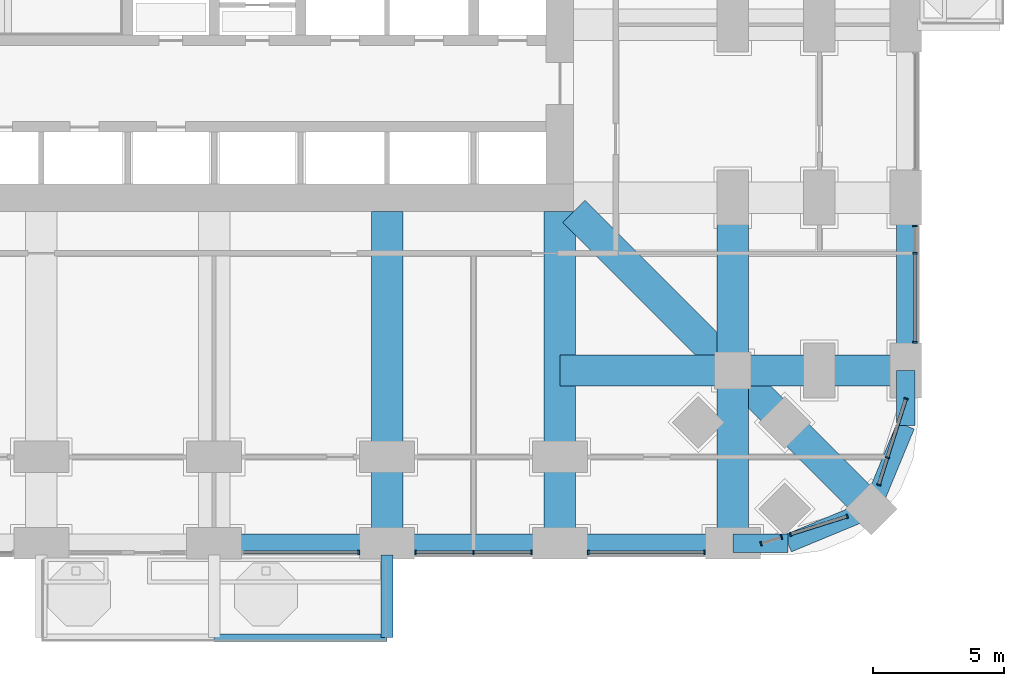
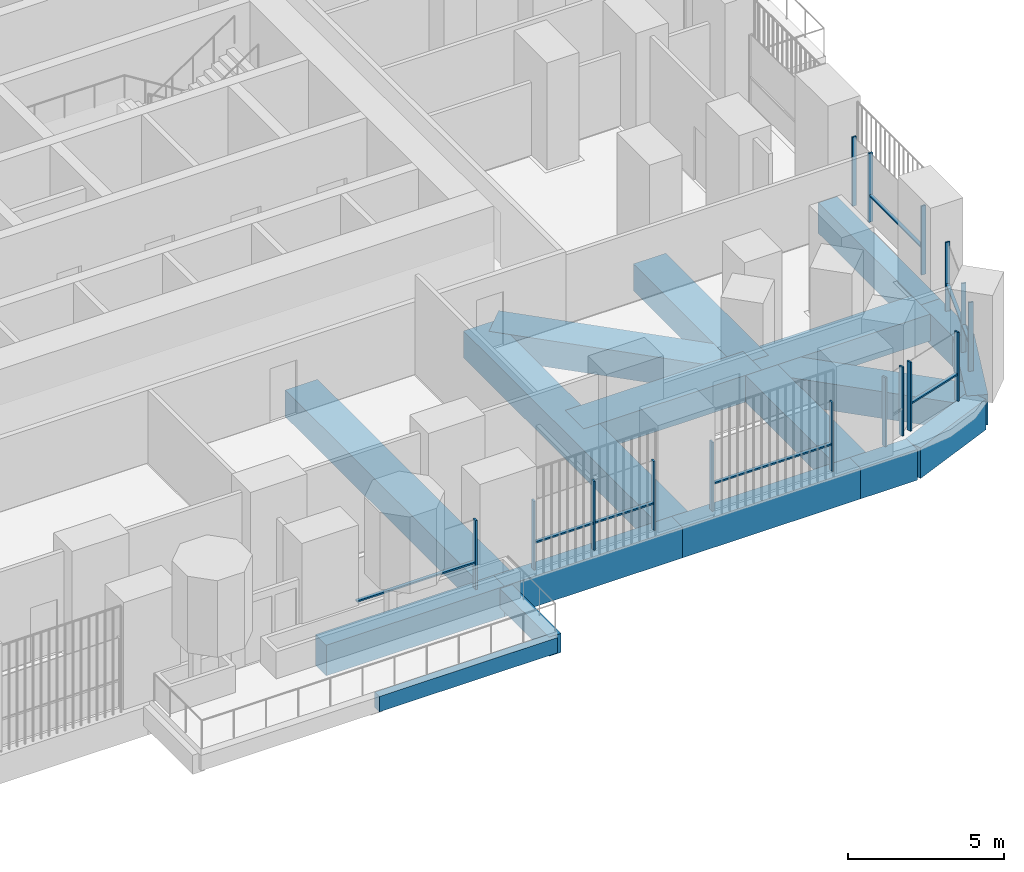
# One storey, part 4 of 26: 24 members, 18 beams, 7 elements without a shape of their own.
"""IFC4 building model written with IfcOpenShell, lengths in metres."""

import ifcopenshell
import ifcopenshell.guid

model = None  # the IFC model being written
_history = None  # IfcOwnerHistory: only IFC2X3 demands one
_inside = {}  # id of a spatial element -> (the spatial element, [elements in it])
_under = {}  # id of a project, library or spatial element -> (it, [spatial elements below it])
_declared = {}  # id of a project -> (the project, [libraries it declares])
_typed = {}  # id of a type object -> (the type object, [elements of that type])
_made_of = {}  # id of a material, layer set ... -> (it, [elements and type objects made of it])


def new_model(schema):
    """Start an empty IFC model of exactly this schema.

    Asked for "IFC4X3", IfcOpenShell would pick the latest addendum, in which some entities
    have other attributes; the version numbers below select the first issue.
    IFC2X3 requires an IfcOwnerHistory on every rooted entity: one is made here for all.
    """
    global model, _history
    if schema == "IFC4X3":
        model = ifcopenshell.file(schema_version=(4, 3, 0, 0))
    else:
        model = ifcopenshell.file(schema=schema)
    _inside.clear()
    _under.clear()
    _declared.clear()
    _typed.clear()
    _made_of.clear()
    _history = None
    if model.schema == "IFC2X3":
        org = make("IfcOrganization", Name="unknown")
        user = make(
            "IfcPersonAndOrganization",
            ThePerson=make("IfcPerson", FamilyName="unknown"),
            TheOrganization=org,
        )
        app = make(
            "IfcApplication",
            ApplicationDeveloper=org,
            Version="unknown",
            ApplicationFullName="unknown",
            ApplicationIdentifier="unknown",
        )
        _history = make(
            "IfcOwnerHistory",
            OwningUser=user,
            OwningApplication=app,
            ChangeAction="ADDED",
            CreationDate=0,
        )
    return model


def make(cls, **values):
    """One entity of the class cls with the attributes given. An attribute that is None is left unset."""
    return model.create_entity(
        cls, **{name: value for name, value in values.items() if value is not None}
    )


def rooted(cls, **values):
    """An entity with a GlobalId (a new one), such as an element, a storey or a relation."""
    return make(cls, GlobalId=ifcopenshell.guid.new(), OwnerHistory=_history, **values)


def si_unit(unit_type, name, prefix=None):
    """IfcSIUnit, for example si_unit("LENGTHUNIT", "METRE", prefix="MILLI")."""
    return make("IfcSIUnit", UnitType=unit_type, Prefix=prefix, Name=name)


def assignment(units):
    """IfcUnitAssignment: the units of a project."""
    return None if units is None else make("IfcUnitAssignment", Units=units)


def point(xyz):
    """IfcCartesianPoint."""
    return None if xyz is None else make("IfcCartesianPoint", Coordinates=xyz)


def direction(xyz):
    """IfcDirection."""
    return None if xyz is None else make("IfcDirection", DirectionRatios=xyz)


def frame(location, z_axis=None, x_axis=None):
    """IfcAxis2Placement3D, a coordinate frame: its origin and axes. An axis left out is left unset."""
    return make(
        "IfcAxis2Placement3D",
        Location=point(location),
        Axis=direction(z_axis),
        RefDirection=direction(x_axis),
    )


def frame_2d(location, x_axis=None):
    """IfcAxis2Placement2D, a coordinate frame in the plane: its origin and x axis."""
    return make(
        "IfcAxis2Placement2D", Location=point(location), RefDirection=direction(x_axis)
    )


def origin():
    """The frame at (0, 0, 0) with its axes left unset."""
    return frame((0.0, 0.0, 0.0))


def origin_2d():
    """The frame at (0, 0) in the plane with its x axis left unset."""
    return frame_2d((0.0, 0.0))


def place(relative_to, where):
    """IfcLocalPlacement: puts the frame where relative to a parent placement (None: the world)."""
    return make(
        "IfcLocalPlacement", PlacementRelTo=relative_to, RelativePlacement=where
    )


def context(
    kind, dimensions, precision=None, world=None, true_north=None, identifier=None
):
    """IfcGeometricRepresentationContext, for example the 3D "Model" context."""
    return make(
        "IfcGeometricRepresentationContext",
        ContextIdentifier=identifier,
        ContextType=kind,
        CoordinateSpaceDimension=dimensions,
        Precision=precision,
        WorldCoordinateSystem=world,
        TrueNorth=true_north,
    )


def subcontext(parent, identifier, kind, view, scale=None):
    """IfcGeometricRepresentationSubContext, for example "Body" below "Model"."""
    return make(
        "IfcGeometricRepresentationSubContext",
        ContextIdentifier=identifier,
        ContextType=kind,
        ParentContext=parent,
        TargetScale=scale,
        TargetView=view,
    )


def project(units=None, contexts=None):
    """IfcProject with its units and contexts."""
    return rooted(
        "IfcProject",
        Name="project",
        RepresentationContexts=contexts,
        UnitsInContext=assignment(units),
    )


def spatial(cls, under=None, at=None, **own):
    """A site, building, storey or space (cls), placed at a placement, below another one or the project."""
    s = rooted(cls, ObjectPlacement=at, **own)
    if under is not None:
        _under.setdefault(under.id(), (under, []))[1].append(s)
    return s


def profile(cls, at=None, kind="AREA", **sizes):
    """A parametric profile (cls). Its sizes go by their IFC names, for example OverallWidth=200.0."""
    return make(cls, ProfileType=kind, Position=at, **sizes)


def rectangle(**sizes):
    """IfcRectangleProfileDef."""
    return profile("IfcRectangleProfileDef", **sizes)


def extrude(swept, where, along, depth):
    """IfcExtrudedAreaSolid: the profile swept, set in the frame where, extruded along a direction by depth."""
    return make(
        "IfcExtrudedAreaSolid",
        SweptArea=swept,
        Position=where,
        ExtrudedDirection=direction(along),
        Depth=depth,
    )


def shape(context_of_items, identifier, shape_type, items):
    """IfcShapeRepresentation: the items that make up one representation, for example the "Body"."""
    return make(
        "IfcShapeRepresentation",
        ContextOfItems=context_of_items,
        RepresentationIdentifier=identifier,
        RepresentationType=shape_type,
        Items=items,
    )


def material(Name=None, Category=None):
    """IfcMaterial."""
    return make("IfcMaterial", Name=Name, Category=Category)


def material_profile(
    of_material, cross_section, Name=None, Category=None, Priority=None
):
    """IfcMaterialProfile: a cross section and its material."""
    return make(
        "IfcMaterialProfile",
        Name=Name,
        Material=of_material,
        Profile=cross_section,
        Priority=Priority,
        Category=Category,
    )


def profile_set(profiles, Name=None, composite=None):
    """IfcMaterialProfileSet."""
    return make(
        "IfcMaterialProfileSet",
        Name=Name,
        MaterialProfiles=profiles,
        CompositeProfile=composite,
    )


def made_of(thing, what):
    """Note that an element or type object is made of a material, layer set ...; save() writes the relation."""
    if what is not None:
        _made_of.setdefault(what.id(), (what, []))[1].append(thing)
    return thing


def type_object(cls, material=None, **own):
    """A type object (cls), such as IfcWallType, which elements share."""
    return made_of(rooted(cls, **own), material)


def element(
    cls,
    number,
    at=None,
    inside=None,
    cuts=None,
    type_object=None,
    material=None,
    context=None,
    identifier="Body",
    shape_type=None,
    held_by="IfcProductDefinitionShape",
    body=None,
    shapes=None,
    **own,
):
    """One element of the class cls, such as IfcWall. Its Tag is "e" and its number.

    at: its placement. inside: the storey or other place that contains it. cuts: it is an
    opening in that element (IfcRelVoidsElement). A single representation is given by context,
    identifier, shape_type and body (its items); several are given by shapes. held_by: the class
    of the entity that holds the representations. save() writes the other relations.
    """
    e = rooted(cls, Tag="e%d" % number, ObjectPlacement=at, **own)
    if body is not None:
        shapes = [shape(context, identifier, shape_type, body)]
    if shapes is not None:
        e.Representation = make(held_by, Representations=shapes)
    if inside is not None:
        _inside.setdefault(inside.id(), (inside, []))[1].append(e)
    if cuts is not None:
        rooted(
            "IfcRelVoidsElement", RelatingBuildingElement=cuts, RelatedOpeningElement=e
        )
    if type_object is not None:
        _typed.setdefault(type_object.id(), (type_object, []))[1].append(e)
    return made_of(e, material)


def aggregate(whole, parts):
    """IfcRelAggregates: a whole, such as a stair, and the parts it consists of."""
    return rooted("IfcRelAggregates", RelatingObject=whole, RelatedObjects=parts)


def save(model, path):
    """Write the relations noted so far, then the file.

    IfcRelAggregates (storeys below a building ...), IfcRelContainedInSpatialStructure (elements
    in a storey), IfcRelDefinesByType, IfcRelAssociatesMaterial and IfcRelDeclares: one each for
    every whole, place, type object, material and project.
    """
    for whole, parts in _under.values():
        aggregate(whole, parts)
    for where, things in _inside.values():
        rooted(
            "IfcRelContainedInSpatialStructure",
            RelatedElements=things,
            RelatingStructure=where,
        )
    for kind, things in _typed.values():
        rooted("IfcRelDefinesByType", RelatedObjects=things, RelatingType=kind)
    for what, things in _made_of.values():
        rooted("IfcRelAssociatesMaterial", RelatedObjects=things, RelatingMaterial=what)
    for by, libraries in _declared.values():
        rooted("IfcRelDeclares", RelatingContext=by, RelatedDefinitions=libraries)
    model.write(path)


model = new_model("IFC4")

# Units and contexts
model_context = context("Model", 3, precision=1e-05, world=origin(), true_north=direction((0.0, 1.0)))
body_context = subcontext(model_context, "Body", "Model", "MODEL_VIEW")
ifc_project = project(units=[si_unit("LENGTHUNIT", "METRE"), si_unit("AREAUNIT", "SQUARE_METRE"), si_unit("VOLUMEUNIT", "CUBIC_METRE"), si_unit("PLANEANGLEUNIT", "RADIAN"), si_unit("MASSUNIT", "GRAM", prefix="KILO")], contexts=[model_context])

# Site, building, storey
site_placement = place(None, origin())
site = spatial("IfcSite", under=ifc_project, at=site_placement, CompositionType="ELEMENT")
building_placement = place(site_placement, origin())
building = spatial("IfcBuilding", under=site, at=building_placement, Name="Cobogo Forest Laboratory Tower", CompositionType="ELEMENT")
storey_placement = place(building_placement, frame((0.0, 0.0, 25.5)))
storey = spatial("IfcBuildingStorey", under=building, at=storey_placement, Name="L05", CompositionType="ELEMENT", Elevation=25.5)

# Beams
ifc_material_1 = material(Name="Concrete HA-40 (C40/50)", Category="concrete")
ifc_material_profile_1 = material_profile(ifc_material_1, rectangle(XDim=0.449951171875, YDim=0.75, at=origin_2d()), Name="RC 450x750")
ifc_profile_set_1 = profile_set([ifc_material_profile_1], Name="Concrete HA-40 (C40/50)")
beam_type_1 = type_object("IfcBeamType", Name="Balcony cantilever beam 450x750", PredefinedType="BEAM", material=ifc_profile_set_1)
beam_1_placement = place(storey_placement, frame((33.0, -0.449951171875, -0.625), z_axis=(0.0, -1.0, 0.0), x_axis=(1.0, 0.0, 0.0)))
element("IfcBeam", 1, at=beam_1_placement, inside=storey, type_object=beam_type_1, Name="CB1 BAL-S1-C3 L05", PredefinedType="BEAM", context=body_context, shape_type="SweptSolid", body=[
    extrude(rectangle(XDim=0.449951171875, YDim=0.75, at=origin_2d()), origin(), (0.0, 0.0, 1.0), 3.150146484375),
])
ifc_material_profile_2 = material_profile(ifc_material_1, rectangle(XDim=0.300048828125, YDim=0.60009765625, at=origin_2d()), Name="RC 300x600")
ifc_profile_set_2 = profile_set([ifc_material_profile_2], Name="Concrete HA-40 (C40/50)")
beam_type_2 = type_object("IfcBeamType", Name="Balcony edge beam 300x600", PredefinedType="BEAM", material=ifc_profile_set_2)
beam_2_placement = place(storey_placement, frame((26.39990234375, -3.60009765625, -0.550048828125), z_axis=(1.0, 0.0, 0.0), x_axis=(0.0, 1.0, 0.0)))
element("IfcBeam", 2, at=beam_2_placement, inside=storey, type_object=beam_type_2, Name="BB1 BAL-S1-T2 L05", PredefinedType="BEAM", context=body_context, shape_type="SweptSolid", body=[
    extrude(rectangle(XDim=0.300048828125, YDim=0.60009765625, at=origin_2d()), origin(), (0.0, 0.0, 1.0), 6.60009765625),
])
ifc_material_profile_3 = material_profile(ifc_material_1, rectangle(XDim=1.199951171875, YDim=1.050048828125, at=origin_2d()), Name="RC 1200x1050")
ifc_profile_set_3 = profile_set([ifc_material_profile_3], Name="Concrete HA-40 (C40/50)")
beam_type_3 = type_object("IfcBeamType", Name="Laboratory floor wide beam 1200x1050", PredefinedType="BEAM", material=ifc_profile_set_3)
for number, where, z_axis, x_axis, name in (
    (3, (33.0, 12.675048828125, -0.824951171875), (0.0, -1.0, 0.0), (1.0, 0.0, 0.0), "RB1 R-6-S L05"),
    (4, (39.60009765625, 12.675048828125, -0.824951171875), (0.0, -1.0, 0.0), (1.0, 0.0, 0.0), "RB1 R-7-S L05"),
):
    element("IfcBeam", number, at=place(storey_placement, frame(where, z_axis=z_axis, x_axis=x_axis)), inside=storey, type_object=beam_type_3, Name=name, PredefinedType="BEAM", context=body_context, shape_type="SweptSolid", body=[
        extrude(rectangle(XDim=1.199951171875, YDim=1.050048828125, at=origin_2d()), origin(), (0.0, 0.0, 1.0), 12.675048828125),
    ])
beam_3_placement = place(storey_placement, frame((46.199951171875, 0.0, -0.824951171875), z_axis=(0.0, 1.0, 0.0), x_axis=(-1.0, 0.0, 0.0)))
element("IfcBeam", 5, at=beam_3_placement, inside=storey, type_object=beam_type_3, Name="RB1 G-SE-XF L05", PredefinedType="BEAM", context=body_context, shape_type="SweptSolid", body=[
    extrude(rectangle(XDim=1.199951171875, YDim=1.050048828125, at=origin_2d()), origin(), (0.0, 0.0, 1.0), 6.60009765625),
])
beam_4_placement = place(storey_placement, frame((46.199951171875, 6.60009765625, -0.824951171875), z_axis=(0.0, 1.0, 0.0), x_axis=(-1.0, 0.0, 0.0)))
element("IfcBeam", 6, at=beam_4_placement, inside=storey, type_object=beam_type_3, Name="RB1 G-SE-XC L05", PredefinedType="BEAM", context=body_context, shape_type="SweptSolid", body=[
    extrude(rectangle(XDim=1.199951171875, YDim=1.050048828125, at=origin_2d()), origin(), (0.0, 0.0, 1.0), 6.599853515625),
])
beam_5_placement = place(storey_placement, frame((52.800048828125, 6.60009765625, -0.824951171875), z_axis=(-1.0, 0.0, 0.0), x_axis=(0.0, -1.0, 0.0)))
element("IfcBeam", 7, at=beam_5_placement, inside=storey, type_object=beam_type_3, Name="RB1 G-SE-YF L05", PredefinedType="BEAM", context=body_context, shape_type="SweptSolid", body=[
    extrude(rectangle(XDim=1.199951171875, YDim=1.050048828125, at=origin_2d()), origin(), (0.0, 0.0, 1.0), 6.60009765625),
])
beam_6_placement = place(storey_placement, frame((46.199951171875, 6.60009765625, -0.824951171875), z_axis=(-1.0, 0.0, 0.0), x_axis=(0.0, -1.0, 0.0)))
element("IfcBeam", 8, at=beam_6_placement, inside=storey, type_object=beam_type_3, Name="RB1 G-SE-YC L05", PredefinedType="BEAM", context=body_context, shape_type="SweptSolid", body=[
    extrude(rectangle(XDim=1.199951171875, YDim=1.050048828125, at=origin_2d()), origin(), (0.0, 0.0, 1.0), 6.599853515625),
])
beam_7_placement = place(storey_placement, frame((51.48193359375, 1.318115234375, -0.824951171875), z_axis=(-0.707106781187, 0.707106781187, 0.0), x_axis=(-0.707106781187, -0.707106781187, 0.0)))
element("IfcBeam", 9, at=beam_7_placement, inside=storey, type_object=beam_type_3, Name="RB1 G-SE-D1 L05", PredefinedType="BEAM", context=body_context, shape_type="SweptSolid", body=[
    extrude(rectangle(XDim=1.199951171875, YDim=1.050048828125, at=origin_2d()), origin(), (0.0, 0.0, 1.0), 7.469970703125),
])
beam_8_placement = place(storey_placement, frame((46.199951171875, 6.60009765625, -0.824951171875), z_axis=(-0.707106781187, 0.707106781187, 0.0), x_axis=(-0.707106781187, -0.707106781187, 0.0)))
element("IfcBeam", 10, at=beam_8_placement, inside=storey, type_object=beam_type_3, Name="RB1 G-SE-D2 L05", PredefinedType="BEAM", context=body_context, shape_type="SweptSolid", body=[
    extrude(rectangle(XDim=1.199951171875, YDim=1.050048828125, at=origin_2d()), origin(), (0.0, 0.0, 1.0), 8.59130859375),
])

# Curtain wall, member
ifc_material_2 = material(Name="Aluminium curtain wall", Category="aluminium")
curtain_wall_type = type_object("IfcCurtainWallType", Name="CW-1 unitised curtain wall, clear glazing, laboratory floors zones A and B", PredefinedType="USERDEFINED", material=ifc_material_2)
curtain_wall_1_placement = place(storey_placement, origin())
curtain_wall_1 = element("IfcCurtainWall", 11, at=curtain_wall_1_placement, inside=storey, type_object=curtain_wall_type, Name="Curtain wall 04 L05", ObjectType="UNITISED CURTAIN WALL", PredefinedType="USERDEFINED")
ifc_material_3 = material(Name="Aluminium mullion", Category="aluminium")
ifc_material_profile_4 = material_profile(ifc_material_3, rectangle(XDim=0.06005859375, YDim=0.159912109375, at=origin_2d()), Name="AL 60x160")
ifc_profile_set_4 = profile_set([ifc_material_profile_4], Name="Aluminium mullion")
member_type_1 = type_object("IfcMemberType", Name="MU-1 aluminium mullion 60x160", PredefinedType="MULLION", material=ifc_profile_set_4)
member_1_placement = place(storey_placement, frame((31.919921875, -0.35009765625, 0.0), z_axis=(0.0, 0.0, 1.0), x_axis=(1.0, 0.0, 0.0)))
member_1 = element("IfcMember", 12, at=member_1_placement, type_object=member_type_1, Name="CW-1 mullion 2", PredefinedType="MULLION", context=body_context, shape_type="SweptSolid", body=[
    extrude(rectangle(XDim=0.06005859375, YDim=0.159912109375, at=origin_2d()), origin(), (0.0, 0.0, 1.0), 2.699951171875),
])

# Curtain wall, members
curtain_wall_2_placement = place(storey_placement, origin())
curtain_wall_2 = element("IfcCurtainWall", 13, at=curtain_wall_2_placement, inside=storey, type_object=curtain_wall_type, Name="Curtain wall 05 L05", ObjectType="UNITISED CURTAIN WALL", PredefinedType="USERDEFINED")
member_2_placement = place(storey_placement, frame((34.080078125, -0.35009765625, 0.0), z_axis=(0.0, 0.0, 1.0), x_axis=(1.0, 0.0, 0.0)))
member_2 = element("IfcMember", 14, at=member_2_placement, type_object=member_type_1, Name="CW-1 mullion 1", PredefinedType="MULLION", context=body_context, shape_type="SweptSolid", body=[
    extrude(rectangle(XDim=0.06005859375, YDim=0.159912109375, at=origin_2d()), origin(), (0.0, 0.0, 1.0), 2.699951171875),
])
member_3_placement = place(storey_placement, frame((36.300048828125, -0.35009765625, 0.0), z_axis=(0.0, 0.0, 1.0), x_axis=(1.0, 0.0, 0.0)))
member_3 = element("IfcMember", 15, at=member_3_placement, type_object=member_type_1, Name="CW-1 mullion 2", PredefinedType="MULLION", context=body_context, shape_type="SweptSolid", body=[
    extrude(rectangle(XDim=0.06005859375, YDim=0.159912109375, at=origin_2d()), origin(), (0.0, 0.0, 1.0), 2.699951171875),
])
member_4_placement = place(storey_placement, frame((38.52001953125, -0.35009765625, 0.0), z_axis=(0.0, 0.0, 1.0), x_axis=(1.0, 0.0, 0.0)))
member_4 = element("IfcMember", 16, at=member_4_placement, type_object=member_type_1, Name="CW-1 mullion 3", PredefinedType="MULLION", context=body_context, shape_type="SweptSolid", body=[
    extrude(rectangle(XDim=0.06005859375, YDim=0.159912109375, at=origin_2d()), origin(), (0.0, 0.0, 1.0), 2.699951171875),
])

curtain_wall_3_placement = place(storey_placement, origin())
curtain_wall_3 = element("IfcCurtainWall", 17, at=curtain_wall_3_placement, inside=storey, type_object=curtain_wall_type, Name="Curtain wall 06 L05", ObjectType="UNITISED CURTAIN WALL", PredefinedType="USERDEFINED")
member_5_placement = place(storey_placement, frame((40.679931640625, -0.35009765625, 0.0), z_axis=(0.0, 0.0, 1.0), x_axis=(1.0, 0.0, 0.0)))
member_5 = element("IfcMember", 18, at=member_5_placement, type_object=member_type_1, Name="CW-1 mullion 1", PredefinedType="MULLION", context=body_context, shape_type="SweptSolid", body=[
    extrude(rectangle(XDim=0.06005859375, YDim=0.159912109375, at=origin_2d()), origin(), (0.0, 0.0, 1.0), 2.699951171875),
])
member_6_placement = place(storey_placement, frame((45.1201171875, -0.35009765625, 0.0), z_axis=(0.0, 0.0, 1.0), x_axis=(1.0, 0.0, 0.0)))
member_6 = element("IfcMember", 19, at=member_6_placement, type_object=member_type_1, Name="CW-1 mullion 2", PredefinedType="MULLION", context=body_context, shape_type="SweptSolid", body=[
    extrude(rectangle(XDim=0.06005859375, YDim=0.159912109375, at=origin_2d()), origin(), (0.0, 0.0, 1.0), 2.699951171875),
])

curtain_wall_4_placement = place(storey_placement, origin())
curtain_wall_4 = element("IfcCurtainWall", 20, at=curtain_wall_4_placement, inside=storey, type_object=curtain_wall_type, Name="Curtain wall 07 L05", ObjectType="UNITISED CURTAIN WALL", PredefinedType="USERDEFINED")
member_7_placement = place(storey_placement, frame((47.278564453125, -0.00927734375, 0.0), z_axis=(0.0, 0.0, 1.0), x_axis=(0.953581504428, 0.301135043481, 0.0)))
member_7 = element("IfcMember", 21, at=member_7_placement, type_object=member_type_1, Name="CW-1 mullion 1", PredefinedType="MULLION", context=body_context, shape_type="SweptSolid", body=[
    extrude(rectangle(XDim=0.06005859375, YDim=0.159912109375, at=origin_2d()), origin(), (0.0, 0.0, 1.0), 2.699951171875),
])
member_8_placement = place(storey_placement, frame((48.05322265625, 0.2353515625, 0.0), z_axis=(0.0, 0.0, 1.0), x_axis=(0.953581504428, 0.301135043481, 0.0)))
member_8 = element("IfcMember", 22, at=member_8_placement, type_object=member_type_1, Name="CW-1 mullion 2", PredefinedType="MULLION", context=body_context, shape_type="SweptSolid", body=[
    extrude(rectangle(XDim=0.06005859375, YDim=0.159912109375, at=origin_2d()), origin(), (0.0, 0.0, 1.0), 2.699951171875),
])
aggregate(curtain_wall_4, [member_7, member_8])

curtain_wall_5_placement = place(storey_placement, origin())
curtain_wall_5 = element("IfcCurtainWall", 23, at=curtain_wall_5_placement, inside=storey, type_object=curtain_wall_type, Name="Curtain wall 08 L05", ObjectType="UNITISED CURTAIN WALL", PredefinedType="USERDEFINED")
member_9_placement = place(storey_placement, frame((48.403076171875, 0.345703125, 0.0), z_axis=(0.0, 0.0, 1.0), x_axis=(0.953581409645, 0.301135343623, 0.0)))
member_9 = element("IfcMember", 24, at=member_9_placement, type_object=member_type_1, Name="CW-1 mullion 1", PredefinedType="MULLION", context=body_context, shape_type="SweptSolid", body=[
    extrude(rectangle(XDim=0.06005859375, YDim=0.159912109375, at=origin_2d()), origin(), (0.0, 0.0, 1.0), 2.699951171875),
])
member_10_placement = place(storey_placement, frame((50.561279296875, 1.02734375, 0.0), z_axis=(0.0, 0.0, 1.0), x_axis=(0.953581409645, 0.301135343623, 0.0)))
member_10 = element("IfcMember", 25, at=member_10_placement, type_object=member_type_1, Name="CW-1 mullion 2", PredefinedType="MULLION", context=body_context, shape_type="SweptSolid", body=[
    extrude(rectangle(XDim=0.06005859375, YDim=0.159912109375, at=origin_2d()), origin(), (0.0, 0.0, 1.0), 2.699951171875),
])

curtain_wall_6_placement = place(storey_placement, origin())
curtain_wall_6 = element("IfcCurtainWall", 26, at=curtain_wall_6_placement, inside=storey, type_object=curtain_wall_type, Name="Curtain wall 09 L05", ObjectType="UNITISED CURTAIN WALL", PredefinedType="USERDEFINED")
member_11_placement = place(storey_placement, frame((51.772705078125, 2.23876953125, 0.0), z_axis=(0.0, 0.0, 1.0), x_axis=(0.30113535792, 0.95358140513, 0.0)))
member_11 = element("IfcMember", 27, at=member_11_placement, type_object=member_type_1, Name="CW-1 mullion 1", PredefinedType="MULLION", context=body_context, shape_type="SweptSolid", body=[
    extrude(rectangle(XDim=0.06005859375, YDim=0.159912109375, at=origin_2d()), origin(), (0.0, 0.0, 1.0), 2.699951171875),
])
member_12_placement = place(storey_placement, frame((52.100341796875, 3.27587890625, 0.0), z_axis=(0.0, 0.0, 1.0), x_axis=(0.30113535792, 0.95358140513, 0.0)))
member_12 = element("IfcMember", 28, at=member_12_placement, type_object=member_type_1, Name="CW-1 mullion 2", PredefinedType="MULLION", context=body_context, shape_type="SweptSolid", body=[
    extrude(rectangle(XDim=0.06005859375, YDim=0.159912109375, at=origin_2d()), origin(), (0.0, 0.0, 1.0), 2.699951171875),
])
member_13_placement = place(storey_placement, frame((52.809326171875, 5.521484375, 0.0), z_axis=(0.0, 0.0, 1.0), x_axis=(0.30113535792, 0.95358140513, 0.0)))
member_13 = element("IfcMember", 29, at=member_13_placement, type_object=member_type_1, Name="CW-1 mullion 3", PredefinedType="MULLION", context=body_context, shape_type="SweptSolid", body=[
    extrude(rectangle(XDim=0.06005859375, YDim=0.159912109375, at=origin_2d()), origin(), (0.0, 0.0, 1.0), 2.699951171875),
])

curtain_wall_7_placement = place(storey_placement, origin())
curtain_wall_7 = element("IfcCurtainWall", 30, at=curtain_wall_7_placement, inside=storey, type_object=curtain_wall_type, Name="Curtain wall 10 L05", ObjectType="UNITISED CURTAIN WALL", PredefinedType="USERDEFINED")
member_14_placement = place(storey_placement, frame((53.14990234375, 7.679931640625, 0.0), z_axis=(0.0, 0.0, 1.0), x_axis=(0.0, 1.0, 0.0)))
member_14 = element("IfcMember", 31, at=member_14_placement, type_object=member_type_1, Name="CW-1 mullion 1", PredefinedType="MULLION", context=body_context, shape_type="SweptSolid", body=[
    extrude(rectangle(XDim=0.06005859375, YDim=0.159912109375, at=origin_2d()), origin(), (0.0, 0.0, 1.0), 2.699951171875),
])
member_15_placement = place(storey_placement, frame((53.14990234375, 11.074951171875, 0.0), z_axis=(0.0, 0.0, 1.0), x_axis=(0.0, 1.0, 0.0)))
member_15 = element("IfcMember", 32, at=member_15_placement, type_object=member_type_1, Name="CW-1 mullion 2", PredefinedType="MULLION", context=body_context, shape_type="SweptSolid", body=[
    extrude(rectangle(XDim=0.06005859375, YDim=0.159912109375, at=origin_2d()), origin(), (0.0, 0.0, 1.0), 2.699951171875),
])
member_16_placement = place(storey_placement, frame((53.14990234375, 12.1201171875, 0.0), z_axis=(0.0, 0.0, 1.0), x_axis=(0.0, 1.0, 0.0)))
member_16 = element("IfcMember", 33, at=member_16_placement, type_object=member_type_1, Name="CW-1 mullion 3", PredefinedType="MULLION", context=body_context, shape_type="SweptSolid", body=[
    extrude(rectangle(XDim=0.06005859375, YDim=0.159912109375, at=origin_2d()), origin(), (0.0, 0.0, 1.0), 2.699951171875),
])

# Beams
ifc_material_profile_5 = material_profile(ifc_material_1, rectangle(XDim=0.699951171875, YDim=1.199951171875, at=origin_2d()), Name="RC 700x1200")
ifc_profile_set_5 = profile_set([ifc_material_profile_5], Name="Concrete HA-40 (C40/50)")
beam_type_4 = type_object("IfcBeamType", Name="Perimeter edge beam 700x1200", PredefinedType="BEAM", material=ifc_profile_set_5)
for number, where, z_axis, x_axis, name in (
    (34, (26.39990234375, 0.0, -0.89990234375), (1.0, 0.0, 0.0), (0.0, 1.0, 0.0), "EB1 E-S4 L05"),
    (35, (33.0, 0.0, -0.89990234375), (1.0, 0.0, 0.0), (0.0, 1.0, 0.0), "EB1 E-S5 L05"),
):
    element("IfcBeam", number, at=place(storey_placement, frame(where, z_axis=z_axis, x_axis=x_axis)), inside=storey, type_object=beam_type_4, Name=name, PredefinedType="BEAM", context=body_context, shape_type="SweptSolid", body=[
        extrude(rectangle(XDim=0.699951171875, YDim=1.199951171875, at=origin_2d()), origin(), (0.0, 0.0, 1.0), 6.60009765625),
    ])
for number, where, z_axis, x_axis, name in (
    (36, (39.60009765625, 0.0, -0.89990234375), (1.0, 0.0, 0.0), (0.0, 1.0, 0.0), "EB1 E-S6 L05"),
    (37, (52.800048828125, 6.60009765625, -0.89990234375), (0.0, 1.0, 0.0), (-1.0, 0.0, 0.0), "EB1 E-E1 L05"),
):
    element("IfcBeam", number, at=place(storey_placement, frame(where, z_axis=z_axis, x_axis=x_axis)), inside=storey, type_object=beam_type_4, Name=name, PredefinedType="BEAM", context=body_context, shape_type="SweptSolid", body=[
        extrude(rectangle(XDim=0.699951171875, YDim=1.199951171875, at=origin_2d()), origin(), (0.0, 0.0, 1.0), 6.599853515625),
    ])
beam_9_placement = place(storey_placement, frame((46.199951171875, 0.0, -0.89990234375), z_axis=(1.0, 0.0, 0.0), x_axis=(0.0, 1.0, 0.0)))
element("IfcBeam", 38, at=beam_9_placement, inside=storey, type_object=beam_type_4, Name="EB1 E-SES1 L05", PredefinedType="BEAM", context=body_context, shape_type="SweptSolid", body=[
    extrude(rectangle(XDim=0.699951171875, YDim=1.199951171875, at=origin_2d()), origin(), (0.0, 0.0, 1.0), 2.10009765625),
])
beam_10_placement = place(storey_placement, frame((48.300048828125, 0.0, -0.89990234375), z_axis=(0.923865631356, 0.382716990999, 0.0), x_axis=(-0.382716990999, 0.923865631356, 0.0)))
element("IfcBeam", 39, at=beam_10_placement, inside=storey, type_object=beam_type_4, Name="EB1 E-SES2 L05", PredefinedType="BEAM", context=body_context, shape_type="SweptSolid", body=[
    extrude(rectangle(XDim=0.699951171875, YDim=1.199951171875, at=origin_2d()), origin(), (0.0, 0.0, 1.0), 3.444091796875),
])
beam_11_placement = place(storey_placement, frame((52.800048828125, 6.60009765625, -0.89990234375), z_axis=(0.0, -1.0, 0.0), x_axis=(1.0, 0.0, 0.0)))
element("IfcBeam", 40, at=beam_11_placement, inside=storey, type_object=beam_type_4, Name="EB1 E-SEE1 L05", PredefinedType="BEAM", context=body_context, shape_type="SweptSolid", body=[
    extrude(rectangle(XDim=0.699951171875, YDim=1.199951171875, at=origin_2d()), origin(), (0.0, 0.0, 1.0), 2.10009765625),
])
beam_12_placement = place(storey_placement, frame((52.800048828125, 4.5, -0.89990234375), z_axis=(-0.382716990999, -0.923865631356, 0.0), x_axis=(0.923865631356, -0.382716990999, 0.0)))
element("IfcBeam", 41, at=beam_12_placement, inside=storey, type_object=beam_type_4, Name="EB1 E-SEE2 L05", PredefinedType="BEAM", context=body_context, shape_type="SweptSolid", body=[
    extrude(rectangle(XDim=0.699951171875, YDim=1.199951171875, at=origin_2d()), origin(), (0.0, 0.0, 1.0), 3.444091796875),
])

# Member
ifc_material_4 = material(Name="Aluminium transom", Category="aluminium")
ifc_material_profile_6 = material_profile(ifc_material_4, rectangle(XDim=0.1201171875, YDim=0.06005859375, at=origin_2d()), Name="AL 60x120")
ifc_profile_set_6 = profile_set([ifc_material_profile_6], Name="Aluminium transom")
member_type_2 = type_object("IfcMemberType", Name="TR-1 aluminium transom 60x120", PredefinedType="USERDEFINED", material=ifc_profile_set_6)
member_17_placement = place(storey_placement, frame((27.510009765625, -0.35009765625, 1.050048828125), z_axis=(1.0, 0.0, 0.0), x_axis=(0.0, 1.0, 0.0)))
member_17 = element("IfcMember", 42, at=member_17_placement, type_object=member_type_2, Name="CW-1 transom 1.1", ObjectType="TRANSOM", PredefinedType="USERDEFINED", context=body_context, shape_type="SweptSolid", body=[
    extrude(rectangle(XDim=0.1201171875, YDim=0.06005859375, at=origin_2d()), origin(), (0.0, 0.0, 1.0), 4.3798828125),
])

aggregate(curtain_wall_1, [member_1, member_17])

member_18_placement = place(storey_placement, frame((34.110107421875, -0.35009765625, 1.050048828125), z_axis=(1.0, 0.0, 0.0), x_axis=(0.0, 1.0, 0.0)))
member_18 = element("IfcMember", 43, at=member_18_placement, type_object=member_type_2, Name="CW-1 transom 1.1", ObjectType="TRANSOM", PredefinedType="USERDEFINED", context=body_context, shape_type="SweptSolid", body=[
    extrude(rectangle(XDim=0.1201171875, YDim=0.06005859375, at=origin_2d()), origin(), (0.0, 0.0, 1.0), 2.159912109375),
])

member_19_placement = place(storey_placement, frame((36.330078125, -0.35009765625, 1.050048828125), z_axis=(1.0, 0.0, 0.0), x_axis=(0.0, 1.0, 0.0)))
member_19 = element("IfcMember", 44, at=member_19_placement, type_object=member_type_2, Name="CW-1 transom 2.1", ObjectType="TRANSOM", PredefinedType="USERDEFINED", context=body_context, shape_type="SweptSolid", body=[
    extrude(rectangle(XDim=0.1201171875, YDim=0.06005859375, at=origin_2d()), origin(), (0.0, 0.0, 1.0), 2.159912109375),
])

aggregate(curtain_wall_2, [member_2, member_3, member_4, member_18, member_19])

member_20_placement = place(storey_placement, frame((40.7099609375, -0.35009765625, 1.050048828125), z_axis=(1.0, 0.0, 0.0), x_axis=(0.0, 1.0, 0.0)))
member_20 = element("IfcMember", 45, at=member_20_placement, type_object=member_type_2, Name="CW-1 transom 1.1", ObjectType="TRANSOM", PredefinedType="USERDEFINED", context=body_context, shape_type="SweptSolid", body=[
    extrude(rectangle(XDim=0.1201171875, YDim=0.06005859375, at=origin_2d()), origin(), (0.0, 0.0, 1.0), 4.380126953125),
])

aggregate(curtain_wall_3, [member_5, member_6, member_20])

member_21_placement = place(storey_placement, frame((48.431640625, 0.354736328125, 1.050048828125), z_axis=(0.953572616955, 0.301163185322, 0.0), x_axis=(-0.301163185322, 0.953572616955, 0.0)))
member_21 = element("IfcMember", 46, at=member_21_placement, type_object=member_type_2, Name="CW-1 transom 1.1", ObjectType="TRANSOM", PredefinedType="USERDEFINED", context=body_context, shape_type="SweptSolid", body=[
    extrude(rectangle(XDim=0.1201171875, YDim=0.06005859375, at=origin_2d()), origin(), (0.0, 0.0, 1.0), 2.203369140625),
])

aggregate(curtain_wall_5, [member_9, member_10, member_21])

member_22_placement = place(storey_placement, frame((51.78173828125, 2.267333984375, 1.050048828125), z_axis=(0.301222320394, 0.953553938535, 0.0), x_axis=(-0.953553938535, 0.301222320394, 0.0)))
member_22 = element("IfcMember", 47, at=member_22_placement, type_object=member_type_2, Name="CW-1 transom 1.1", ObjectType="TRANSOM", PredefinedType="USERDEFINED", context=body_context, shape_type="SweptSolid", body=[
    extrude(rectangle(XDim=0.1201171875, YDim=0.06005859375, at=origin_2d()), origin(), (0.0, 0.0, 1.0), 1.02783203125),
])

member_23_placement = place(storey_placement, frame((52.109375, 3.304443359375, 1.050048828125), z_axis=(0.301090633022, 0.953595527835, 0.0), x_axis=(-0.953595527835, 0.301090633022, 0.0)))
member_23 = element("IfcMember", 48, at=member_23_placement, type_object=member_type_2, Name="CW-1 transom 2.1", ObjectType="TRANSOM", PredefinedType="USERDEFINED", context=body_context, shape_type="SweptSolid", body=[
    extrude(rectangle(XDim=0.1201171875, YDim=0.06005859375, at=origin_2d()), origin(), (0.0, 0.0, 1.0), 2.294677734375),
])

aggregate(curtain_wall_6, [member_11, member_12, member_13, member_22, member_23])

member_24_placement = place(storey_placement, frame((53.14990234375, 7.7099609375, 1.050048828125), z_axis=(0.0, 1.0, 0.0), x_axis=(-1.0, 0.0, 0.0)))
member_24 = element("IfcMember", 49, at=member_24_placement, type_object=member_type_2, Name="CW-1 transom 1.1", ObjectType="TRANSOM", PredefinedType="USERDEFINED", context=body_context, shape_type="SweptSolid", body=[
    extrude(rectangle(XDim=0.1201171875, YDim=0.06005859375, at=origin_2d()), origin(), (0.0, 0.0, 1.0), 3.3349609375),
])

aggregate(curtain_wall_7, [member_14, member_15, member_16, member_24])

save(model, "model.ifc")
